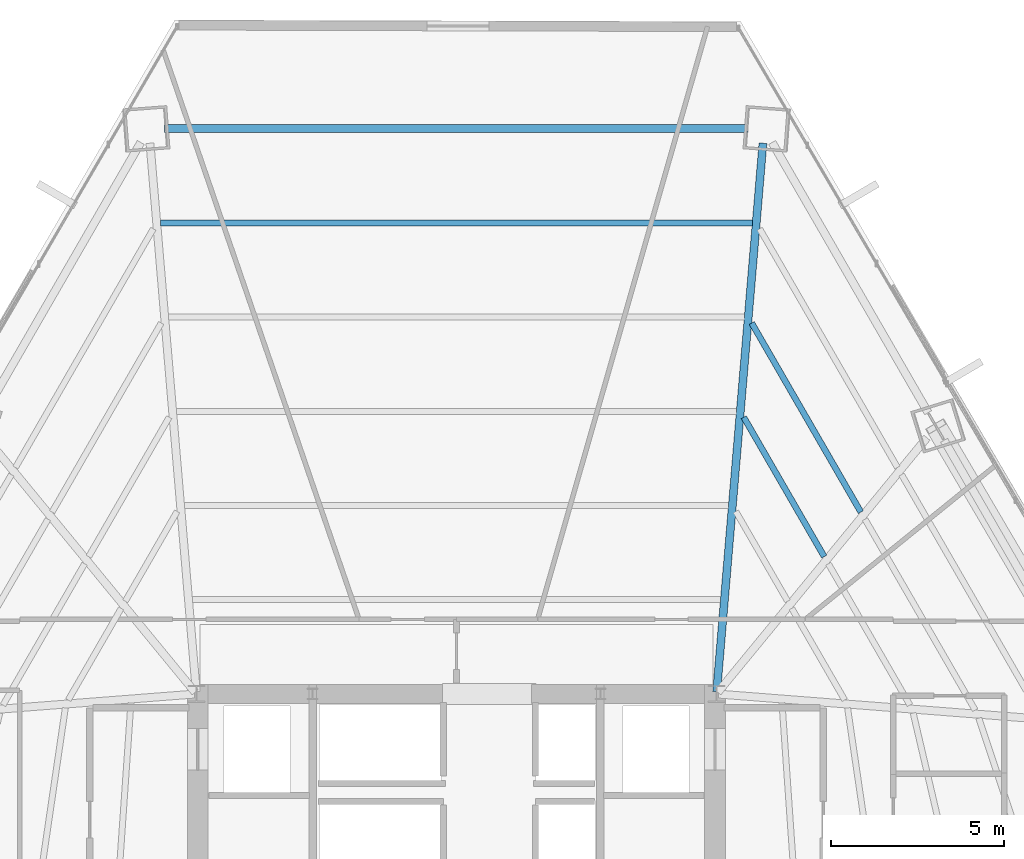
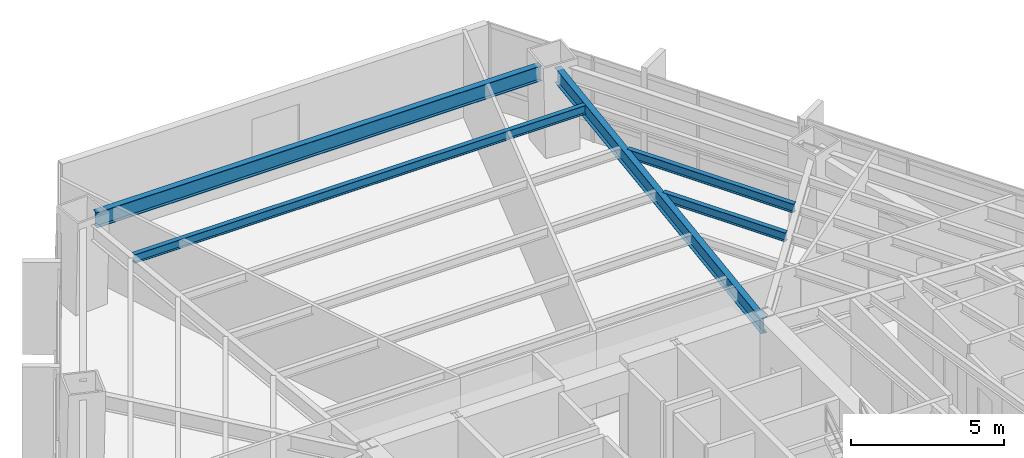
# One storey, part 25 of 33: 5 beams.
"""IFC4 building model written with IfcOpenShell, lengths in metres."""

from ifc_helpers import new_model, si_unit, direction, frame, origin, origin_2d, place, context, subcontext, project, spatial, i_section, extrude, source, transform, mapped, material, material_profile, profile_set, type_object, type_shapes, element, save


model = new_model("IFC4")

# Units and contexts
model_context = context("Model", 3, precision=1e-05, world=origin(), true_north=direction((0.0, 1.0)))
body_context = subcontext(model_context, "Body", "Model", "MODEL_VIEW")
ifc_project = project(units=[si_unit("LENGTHUNIT", "METRE"), si_unit("AREAUNIT", "SQUARE_METRE"), si_unit("VOLUMEUNIT", "CUBIC_METRE"), si_unit("PLANEANGLEUNIT", "RADIAN"), si_unit("MASSUNIT", "GRAM", prefix="KILO")], contexts=[model_context])

# Site, building, storey
site_placement = place(None, origin())
site = spatial("IfcSite", under=ifc_project, at=site_placement, CompositionType="ELEMENT")
building_placement = place(site_placement, origin())
building = spatial("IfcBuilding", under=site, at=building_placement, Name="Caelisora Broadcast Tower", CompositionType="ELEMENT")
storey_placement = place(building_placement, frame((0.0, 0.0, 42.199951171875)))
storey = spatial("IfcBuildingStorey", under=building, at=storey_placement, Name="L10", CompositionType="ELEMENT", Elevation=42.199951171875)

# Beams
ifc_material = material(Name="Steel Grade 350 (AS/NZS 3679.1)", Category="steel")
ifc_material_profile_1 = material_profile(ifc_material, i_section(OverallWidth=0.22900390625, OverallDepth=0.611572265625, WebThickness=0.011962890625, FlangeThickness=0.01953125, at=origin_2d()), Name="Steel Grade 350 (AS/NZS 3679.1)")
ifc_profile_set_1 = profile_set([ifc_material_profile_1], Name="Steel Grade 350 (AS/NZS 3679.1)")
beam_type_1 = type_object("IfcBeamType", Name="PG03", PredefinedType="BEAM", material=ifc_profile_set_1)
shared_shape_1 = source(origin(), body_context, "Body", "SweptSolid", [
    extrude(i_section(OverallWidth=0.22900390625, OverallDepth=0.611572265625, WebThickness=0.011962890625, FlangeThickness=0.01953125, at=origin_2d()), origin(), (0.0, 0.0, 1.0), 16.8310546875),
])
type_shapes(beam_type_1, [shared_shape_1])
beam_1_placement = place(storey_placement, frame((46.41552734375, 46.30419921875, 3.09423828125), z_axis=(-1.0, 0.0, 0.0), x_axis=(0.0, -1.0, 0.0)))
element("IfcBeam", 1, at=beam_1_placement, inside=storey, type_object=beam_type_1, Name="L10 beam PG03", PredefinedType="BEAM", context=body_context, shape_type="MappedRepresentation", body=[
    mapped(shared_shape_1, transform((0.0, 0.0, 0.0), scale=1.0)),
])
ifc_material_profile_2 = material_profile(ifc_material, i_section(OverallWidth=0.22802734375, OverallDepth=0.602294921875, WebThickness=0.010498046875, FlangeThickness=0.014892578125, at=origin_2d()), Name="Steel Grade 350 (AS/NZS 3679.1)")
ifc_profile_set_2 = profile_set([ifc_material_profile_2], Name="Steel Grade 350 (AS/NZS 3679.1)")
beam_type_2 = type_object("IfcBeamType", Name="PG04", PredefinedType="BEAM", material=ifc_profile_set_2)
shared_shape_2 = source(origin(), body_context, "Body", "SweptSolid", [
    extrude(i_section(OverallWidth=0.22802734375, OverallDepth=0.602294921875, WebThickness=0.010498046875, FlangeThickness=0.014892578125, at=origin_2d()), origin(), (0.0, 0.0, 1.0), 15.8818359375),
])
type_shapes(beam_type_2, [shared_shape_2])
beam_2_placement = place(storey_placement, frame((45.5048828125, 30.059814453125, 3.098876953125), z_axis=(0.08408608133, 0.996458494332, 0.0), x_axis=(-0.996458494332, 0.08408608133, 0.0)))
element("IfcBeam", 2, at=beam_2_placement, inside=storey, type_object=beam_type_2, Name="L10 beam PG04", PredefinedType="BEAM", context=body_context, shape_type="MappedRepresentation", body=[
    mapped(shared_shape_2, transform((0.0, 0.0, 0.0), scale=1.0)),
])
ifc_material_profile_3 = material_profile(ifc_material, i_section(OverallWidth=0.172119140625, OverallDepth=0.358642578125, WebThickness=0.008056640625, FlangeThickness=0.012939453125, at=origin_2d()), Name="Steel Grade 350 (AS/NZS 3679.1)")
ifc_profile_set_3 = profile_set([ifc_material_profile_3], Name="Steel Grade 350 (AS/NZS 3679.1)")
beam_type_3 = type_object("IfcBeamType", Name="SB02", PredefinedType="JOIST", material=ifc_profile_set_3)
shared_shape_3 = source(origin(), body_context, "Body", "SweptSolid", [
    extrude(i_section(OverallWidth=0.172119140625, OverallDepth=0.358642578125, WebThickness=0.008056640625, FlangeThickness=0.012939453125, at=origin_2d()), origin(), (0.0, 0.0, 1.0), 17.06982421875),
])
beam_3_placement = place(storey_placement, frame((46.534912109375, 43.586669921875, 3.220703125), z_axis=(-1.0, 0.0, 0.0), x_axis=(0.0, -1.0, 0.0)))
element("IfcBeam", 3, at=beam_3_placement, inside=storey, type_object=beam_type_3, Name="L10 beam SB02", PredefinedType="JOIST", context=body_context, shape_type="MappedRepresentation", body=[
    mapped(shared_shape_3, transform((0.0, 0.0, 0.0), scale=1.0)),
])
shared_shape_4 = source(origin(), body_context, "Body", "SweptSolid", [
    extrude(i_section(OverallWidth=0.172119140625, OverallDepth=0.358642578125, WebThickness=0.008056640625, FlangeThickness=0.012939453125, at=origin_2d()), origin(), (0.0, 0.0, 1.0), 4.64404296875),
])
beam_4_placement = place(storey_placement, frame((48.608154296875, 33.9599609375, 3.220703125), z_axis=(-0.500012184126, 0.866018369162, 0.0), x_axis=(-0.866018369162, -0.500012184126, 0.0)))
element("IfcBeam", 4, at=beam_4_placement, inside=storey, type_object=beam_type_3, Name="L10 beam SB02", PredefinedType="JOIST", context=body_context, shape_type="MappedRepresentation", body=[
    mapped(shared_shape_4, transform((0.0, 0.0, 0.0), scale=1.0)),
])
shared_shape_5 = source(origin(), body_context, "Body", "SweptSolid", [
    extrude(i_section(OverallWidth=0.172119140625, OverallDepth=0.358642578125, WebThickness=0.008056640625, FlangeThickness=0.012939453125, at=origin_2d()), origin(), (0.0, 0.0, 1.0), 6.297119140625),
])
type_shapes(beam_type_3, [shared_shape_3, shared_shape_4, shared_shape_5])
beam_5_placement = place(storey_placement, frame((49.663818359375, 35.24560546875, 3.220703125), z_axis=(-0.499975274946, 0.86603967833, 0.0), x_axis=(-0.86603967833, -0.499975274946, 0.0)))
element("IfcBeam", 5, at=beam_5_placement, inside=storey, type_object=beam_type_3, Name="L10 beam SB02", PredefinedType="JOIST", context=body_context, shape_type="MappedRepresentation", body=[
    mapped(shared_shape_5, transform((0.0, 0.0, 0.0), scale=1.0)),
])

save(model, "model.ifc")
